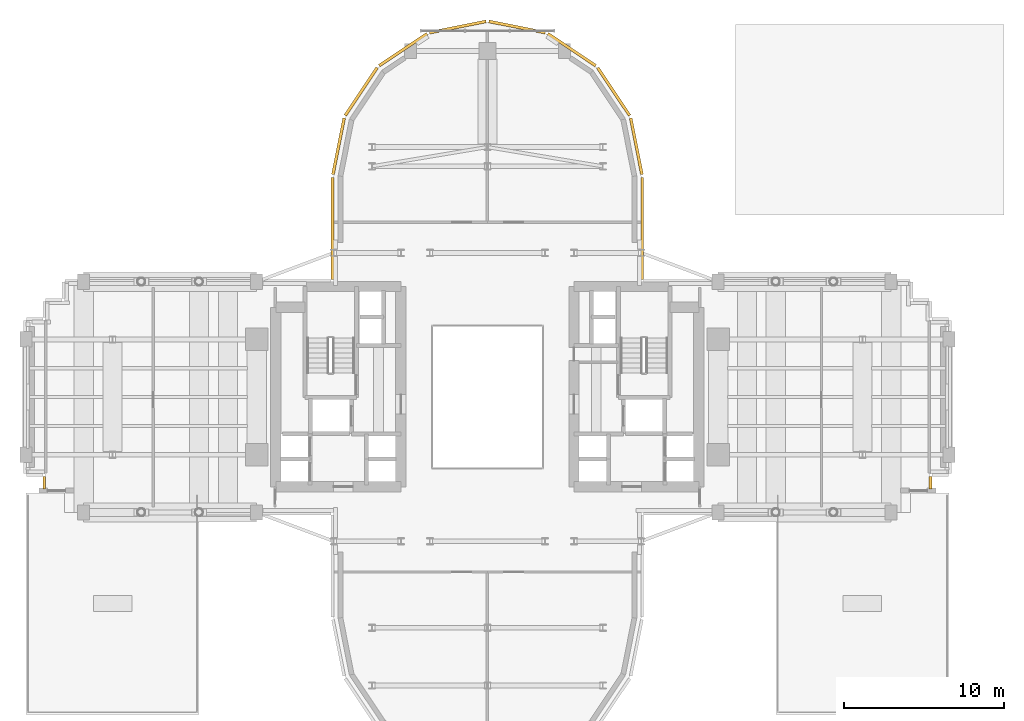
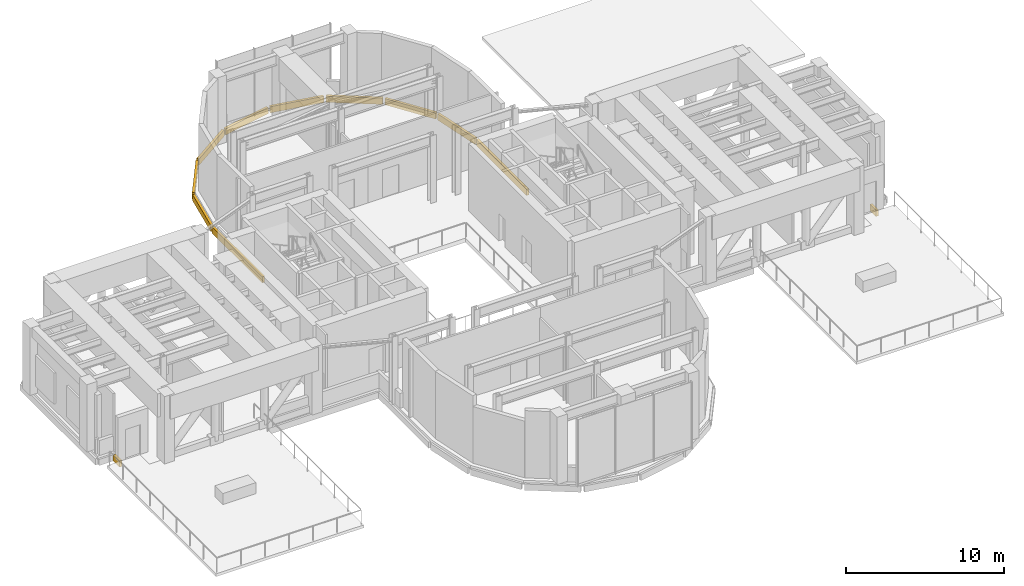
# One storey, part 15 of 16: 12 coverings.
"""IFC4 building model written with IfcOpenShell, lengths in metres."""

from ifc_helpers import new_model, si_unit, direction, frame, origin, origin_2d, place, context, subcontext, project, spatial, rectangle, extrude, source, transform, mapped, material, layer, layer_set, type_object, element, save


model = new_model("IFC4")

# Units and contexts
model_context = context("Model", 3, precision=1e-05, world=origin(), true_north=direction((0.0, 1.0)))
body_context = subcontext(model_context, "Body", "Model", "MODEL_VIEW")
ifc_project = project(units=[si_unit("LENGTHUNIT", "METRE"), si_unit("AREAUNIT", "SQUARE_METRE"), si_unit("VOLUMEUNIT", "CUBIC_METRE"), si_unit("PLANEANGLEUNIT", "RADIAN"), si_unit("MASSUNIT", "GRAM", prefix="KILO")], contexts=[model_context])

# Site, building, storey
site_placement = place(None, origin())
site = spatial("IfcSite", under=ifc_project, at=site_placement, CompositionType="ELEMENT")
building_placement = place(site_placement, origin())
building = spatial("IfcBuilding", under=site, at=building_placement, Name="Keilestroom Media Tower", CompositionType="ELEMENT")
storey_placement = place(building_placement, frame((0.0, 0.0, 25.199951171875)))
storey = spatial("IfcBuildingStorey", under=building, at=storey_placement, Name="L05", CompositionType="ELEMENT", Elevation=25.199951171875)

# Coverings
ifc_material = material(Name="Precast concrete C40/50", Category="concrete")
ifc_layer = layer(ifc_material, 0.1201171875)
ifc_layer_set = layer_set([ifc_layer], Name="Precast concrete C40/50")
covering_type = type_object("IfcCoveringType", Name="Exterior-Precast-Spandrel-Cladding-Panel-120", PredefinedType="CLADDING", material=ifc_layer_set)
shared_shape_1 = source(origin(), body_context, "Body", "SweptSolid", [
    extrude(rectangle(XDim=0.780029296875, YDim=0.179931640625, at=origin_2d()), origin(), (0.0, 0.0, 1.0), 0.47998046875),
])
for number, where, z_axis, x_axis, name in (
    (1, (27.659912109375, -5.340087890625, -0.659912109375), (0.0, 0.0, 1.0), (0.0, -1.0, 0.0), "L05 Precast Slab-Edge Fascia Cornice 02"),
    (2, (-27.659912109375, -5.340087890625, -0.659912109375), (0.0, 0.0, 1.0), (0.0, 1.0, 0.0), "L05 Precast Slab-Edge Fascia Cornice 15"),
):
    element("IfcCovering", number, at=place(storey_placement, frame(where, z_axis=z_axis, x_axis=x_axis)), inside=storey, type_object=covering_type, Name=name, PredefinedType="CLADDING", context=body_context, shape_type="MappedRepresentation", body=[
        mapped(shared_shape_1, transform((0.0, 0.0, 0.0), x_axis=(1.0, 0.0, 0.0), y_axis=(0.0, 1.0, 0.0), z_axis=(0.0, 0.0, 1.0), scale=1.0)),
    ])
shared_shape_2 = source(origin(), body_context, "Body", "SweptSolid", [
    extrude(rectangle(XDim=6.365966796875, YDim=0.179931640625, at=origin_2d()), origin(), (0.0, 0.0, 1.0), 0.47998046875),
])
for number, where, z_axis, x_axis, name in (
    (3, (-9.659912109375, 10.532958984375, -0.659912109375), (0.0, 0.0, 1.0), (0.0, 1.0, 0.0), "L05 Precast Slab-Edge Fascia Cornice 23"),
    (4, (9.659912109375, 10.532958984375, -0.659912109375), (0.0, 0.0, 1.0), (0.0, -1.0, 0.0), "L05 Precast Slab-Edge Fascia Cornice 32"),
):
    element("IfcCovering", number, at=place(storey_placement, frame(where, z_axis=z_axis, x_axis=x_axis)), inside=storey, type_object=covering_type, Name=name, PredefinedType="CLADDING", context=body_context, shape_type="MappedRepresentation", body=[
        mapped(shared_shape_2, transform((0.0, 0.0, 0.0), x_axis=(1.0, 0.0, 0.0), y_axis=(0.0, 1.0, 0.0), z_axis=(0.0, 0.0, 1.0), scale=1.0)),
    ])
shared_shape_3 = source(origin(), body_context, "Body", "SweptSolid", [
    extrude(rectangle(XDim=3.58349609375, YDim=0.179931640625, at=origin_2d()), origin(), (0.0, 0.0, 1.0), 0.47998046875),
])
for number, where, z_axis, x_axis, name in (
    (5, (-9.29296875, 15.651611328125, -0.659912109375), (0.0, 0.0, 1.0), (0.195098880975, 0.980783577882, 0.0), "L05 Precast Slab-Edge Fascia Cornice 24"),
    (6, (9.29296875, 15.651611328125, -0.659912109375), (0.0, 0.0, 1.0), (0.195098880975, -0.980783577882, 0.0), "L05 Precast Slab-Edge Fascia Cornice 31"),
):
    element("IfcCovering", number, at=place(storey_placement, frame(where, z_axis=z_axis, x_axis=x_axis)), inside=storey, type_object=covering_type, Name=name, PredefinedType="CLADDING", context=body_context, shape_type="MappedRepresentation", body=[
        mapped(shared_shape_3, transform((0.0, 0.0, 0.0), x_axis=(1.0, 0.0, 0.0), y_axis=(0.0, 1.0, 0.0), z_axis=(0.0, 0.0, 1.0), scale=1.0)),
    ])
shared_shape_4 = source(origin(), body_context, "Body", "SweptSolid", [
    extrude(rectangle(XDim=3.589599609375, YDim=0.179931640625, at=origin_2d()), origin(), (0.0, 0.0, 1.0), 0.47998046875),
])
for number, where, z_axis, x_axis, name in (
    (7, (-7.878662109375, 19.064208984375, -0.659912109375), (0.0, 0.0, 1.0), (0.555574586577, 0.831466703332, 0.0), "L05 Precast Slab-Edge Fascia Cornice 25"),
    (8, (-5.264404296875, 21.6787109375, -0.659912109375), (0.0, 0.0, 1.0), (0.831466703332, 0.555574586577, 0.0), "L05 Precast Slab-Edge Fascia Cornice 26"),
    (9, (-1.8486328125, 23.093505859375, -0.659912109375), (0.0, 0.0, 1.0), (0.980783577882, 0.195098880975, 0.0), "L05 Precast Slab-Edge Fascia Cornice 27"),
    (10, (1.8486328125, 23.093505859375, -0.659912109375), (0.0, 0.0, 1.0), (0.980783577882, -0.195098880975, 0.0), "L05 Precast Slab-Edge Fascia Cornice 28"),
    (11, (5.264404296875, 21.6787109375, -0.659912109375), (0.0, 0.0, 1.0), (0.831466703332, -0.555574586577, 0.0), "L05 Precast Slab-Edge Fascia Cornice 29"),
    (12, (7.878662109375, 19.064208984375, -0.659912109375), (0.0, 0.0, 1.0), (0.555574586577, -0.831466703332, 0.0), "L05 Precast Slab-Edge Fascia Cornice 30"),
):
    element("IfcCovering", number, at=place(storey_placement, frame(where, z_axis=z_axis, x_axis=x_axis)), inside=storey, type_object=covering_type, Name=name, PredefinedType="CLADDING", context=body_context, shape_type="MappedRepresentation", body=[
        mapped(shared_shape_4, transform((0.0, 0.0, 0.0), x_axis=(1.0, 0.0, 0.0), y_axis=(0.0, 1.0, 0.0), z_axis=(0.0, 0.0, 1.0), scale=1.0)),
    ])

save(model, "model.ifc")
